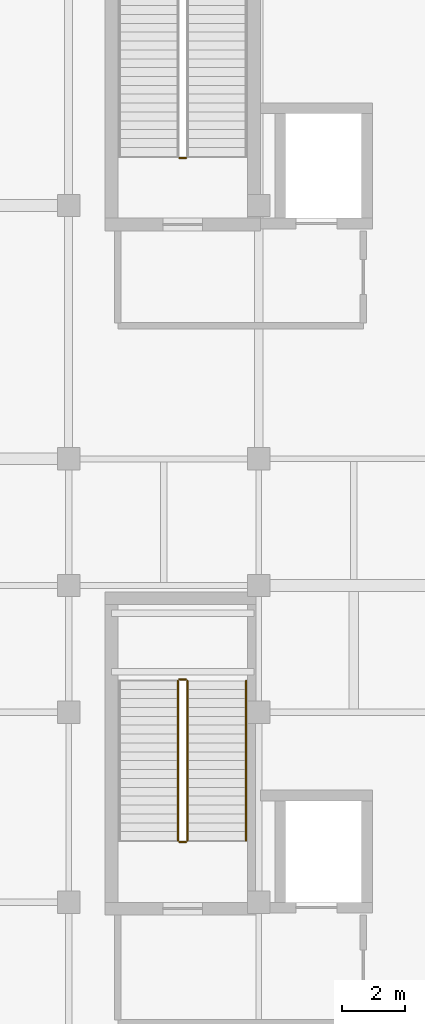
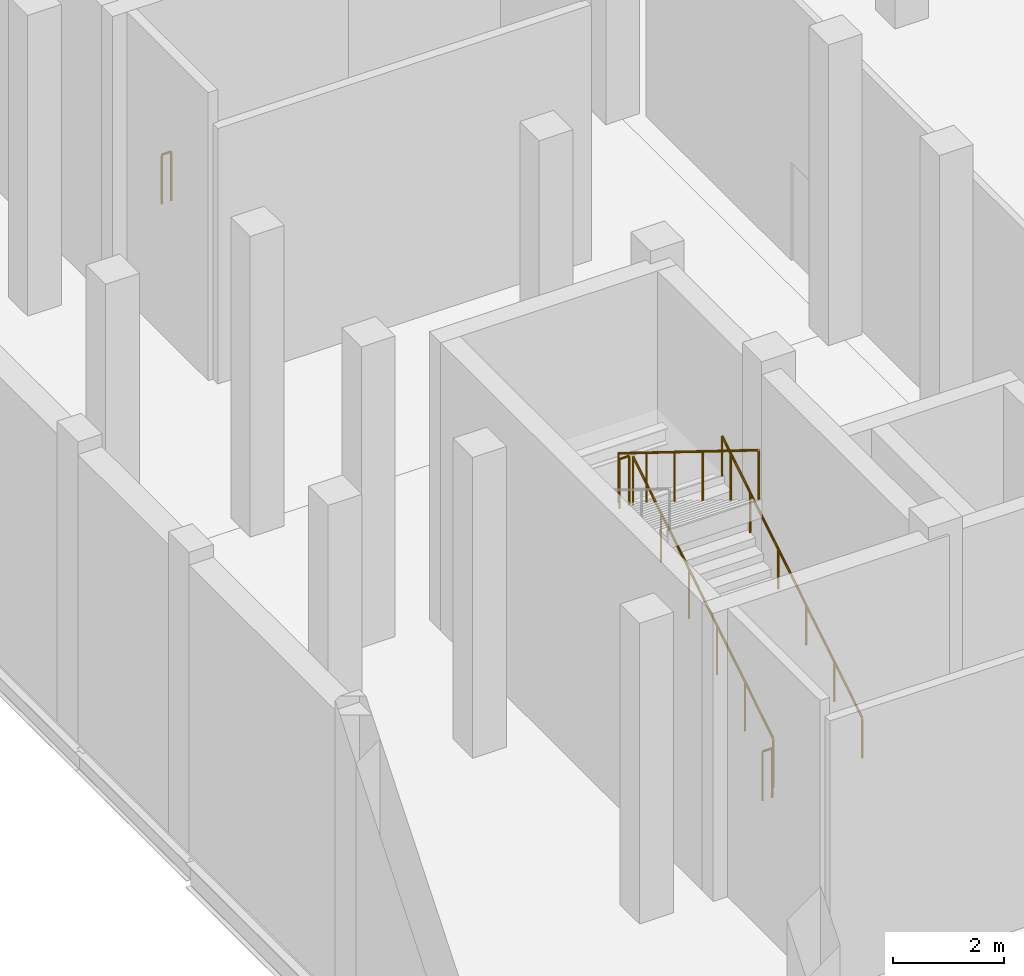
# One storey, part 132 of 140: 6 railings.
"""IFC4 building model written with IfcOpenShell, lengths in metres."""

from ifc_helpers import new_model, si_unit, direction, frame, origin, origin_2d, place, context, subcontext, project, spatial, circle, extrude, material, type_object, element, save


model = new_model("IFC4")

# Units and contexts
model_context = context("Model", 3, precision=1e-05, world=origin(), true_north=direction((0.0, 1.0)))
body_context = subcontext(model_context, "Body", "Model", "MODEL_VIEW")
ifc_project = project(units=[si_unit("LENGTHUNIT", "METRE"), si_unit("AREAUNIT", "SQUARE_METRE"), si_unit("VOLUMEUNIT", "CUBIC_METRE"), si_unit("PLANEANGLEUNIT", "RADIAN"), si_unit("MASSUNIT", "GRAM", prefix="KILO")], contexts=[model_context])

# Site, building, storey
site_placement = place(None, origin())
site = spatial("IfcSite", under=ifc_project, at=site_placement, CompositionType="ELEMENT")
building_placement = place(site_placement, origin())
building = spatial("IfcBuilding", under=site, at=building_placement, Name="Verrall Gate Interchange", CompositionType="ELEMENT")
storey_placement = place(building_placement, origin())
storey = spatial("IfcBuildingStorey", under=building, at=storey_placement, Name="L01", CompositionType="ELEMENT", Elevation=0.0)

# Railings
ifc_material_1 = material(Name="Brushed Stainless-Steel Guardrail and Handrail System", Category="steel")
railing_type_1 = type_object("IfcRailingType", Name="GR-02 Interior Atrium and Stair Guardrail 1100", PredefinedType="GUARDRAIL", material=ifc_material_1)
railing_1_placement = place(storey_placement, frame((9.75, 35.949951171875, 0.173583984375)))
element("IfcRailing", 1, at=railing_1_placement, inside=storey, type_object=railing_type_1, Name="L01 ST-02 stair guard 1", PredefinedType="GUARDRAIL", context=body_context, shape_type="SweptSolid", body=[
    extrude(circle(Radius=0.02392578125, at=origin_2d()), frame((0.0, 0.0, 1.076171875), z_axis=(0.0, 0.849778785312, 0.527139465448), x_axis=(-1.0, 0.0, 0.0)), (0.0, 0.0, 1.0), 5.930908203125),
    extrude(circle(Radius=0.02099609375, at=origin_2d()), origin(), (0.0, 0.0, 1.0), 1.052001953125),
    extrude(circle(Radius=0.02099609375, at=origin_2d()), frame((0.0, 1.008056640625, 0.625244140625)), (0.0, 0.0, 1.0), 1.052001953125),
    extrude(circle(Radius=0.02099609375, at=origin_2d()), frame((0.0, 2.01611328125, 1.25048828125)), (0.0, 0.0, 1.0), 1.052001953125),
    extrude(circle(Radius=0.02099609375, at=origin_2d()), frame((0.0, 3.02392578125, 1.8759765625)), (0.0, 0.0, 1.0), 1.052001953125),
    extrude(circle(Radius=0.02099609375, at=origin_2d()), frame((0.0, 4.031982421875, 2.501220703125)), (0.0, 0.0, 1.0), 1.052001953125),
    extrude(circle(Radius=0.02099609375, at=origin_2d()), frame((0.0, 5.0400390625, 3.12646484375)), (0.0, 0.0, 1.0), 1.052001953125),
])
railing_2_placement = place(storey_placement, frame((9.699951171875, 41.0400390625, 3.300048828125)))
element("IfcRailing", 2, at=railing_2_placement, inside=storey, type_object=railing_type_1, Name="L01 ST-02 stair guard 2", PredefinedType="GUARDRAIL", context=body_context, shape_type="SweptSolid", body=[
    extrude(circle(Radius=0.02392578125, at=origin_2d()), frame((0.0, 0.0, 1.076171875), z_axis=(-1.0, 0.0, 0.0), x_axis=(0.0, -1.0, 0.0)), (0.0, 0.0, 1.0), 0.199951171875),
    extrude(circle(Radius=0.02099609375, at=origin_2d()), origin(), (0.0, 0.0, 1.0), 1.052001953125),
    extrude(circle(Radius=0.02099609375, at=origin_2d()), frame((-0.199951171875, 0.0, 0.0)), (0.0, 0.0, 1.0), 1.052001953125),
])
railing_3_placement = place(storey_placement, frame((9.449951171875, 40.989990234375, 3.4736328125)))
element("IfcRailing", 3, at=railing_3_placement, inside=storey, type_object=railing_type_1, Name="L01 ST-02 stair guard 3", PredefinedType="GUARDRAIL", context=body_context, shape_type="SweptSolid", body=[
    extrude(circle(Radius=0.02392578125, at=origin_2d()), frame((0.0, 0.0, 1.076171875), z_axis=(0.0, -0.849778785312, 0.527139465448), x_axis=(1.0, 0.0, 0.0)), (0.0, 0.0, 1.0), 5.930908203125),
    extrude(circle(Radius=0.02099609375, at=origin_2d()), origin(), (0.0, 0.0, 1.0), 1.052001953125),
    extrude(circle(Radius=0.02099609375, at=origin_2d()), frame((0.0, -1.008056640625, 0.625244140625)), (0.0, 0.0, 1.0), 1.052001953125),
    extrude(circle(Radius=0.02099609375, at=origin_2d()), frame((0.0, -2.01611328125, 1.25048828125)), (0.0, 0.0, 1.0), 1.052001953125),
    extrude(circle(Radius=0.02099609375, at=origin_2d()), frame((0.0, -3.02392578125, 1.8759765625)), (0.0, 0.0, 1.0), 1.052001953125),
    extrude(circle(Radius=0.02099609375, at=origin_2d()), frame((0.0, -4.031982421875, 2.501220703125)), (0.0, 0.0, 1.0), 1.052001953125),
    extrude(circle(Radius=0.02099609375, at=origin_2d()), frame((0.0, -5.0400390625, 3.12646484375)), (0.0, 0.0, 1.0), 1.052001953125),
])
for number, where, name in (
    (4, (9.699951171875, 35.89990234375, 0.0), "L01 ST-02 stair guard 4"),
    (5, (9.699951171875, 57.5, 0.0), "L01 ST-03 stair guard 4"),
):
    element("IfcRailing", number, at=place(storey_placement, frame(where)), inside=storey, type_object=railing_type_1, Name=name, PredefinedType="GUARDRAIL", context=body_context, shape_type="SweptSolid", body=[
        extrude(circle(Radius=0.02392578125, at=origin_2d()), frame((0.0, 0.0, 1.076171875), z_axis=(-1.0, 0.0, 0.0), x_axis=(0.0, -1.0, 0.0)), (0.0, 0.0, 1.0), 0.199951171875),
        extrude(circle(Radius=0.02099609375, at=origin_2d()), origin(), (0.0, 0.0, 1.0), 1.052001953125),
        extrude(circle(Radius=0.02099609375, at=origin_2d()), frame((-0.199951171875, 0.0, 0.0)), (0.0, 0.0, 1.0), 1.052001953125),
    ])
ifc_material_2 = material(Name="Brushed Stainless-Steel Guardrail and Handrail System", Category="steel")
railing_type_2 = type_object("IfcRailingType", Name="HR-01 Stair and Ramp Pitch-Line Handrail 920", PredefinedType="HANDRAIL", material=ifc_material_2)
railing_4_placement = place(storey_placement, frame((11.60009765625, 35.949951171875, 0.173583984375)))
element("IfcRailing", 6, at=railing_4_placement, inside=storey, type_object=railing_type_2, Name="L01 ST-02 stair handrail 1", PredefinedType="HANDRAIL", context=body_context, shape_type="SweptSolid", body=[
    extrude(circle(Radius=0.02392578125, at=origin_2d()), frame((0.0, 0.0, 0.8759765625), z_axis=(0.0, 0.849778785312, 0.527139465448), x_axis=(-1.0, 0.0, 0.0)), (0.0, 0.0, 1.0), 5.930908203125),
    extrude(circle(Radius=0.02099609375, at=origin_2d()), origin(), (0.0, 0.0, 1.0), 0.851806640625),
    extrude(circle(Radius=0.02099609375, at=origin_2d()), frame((0.0, 1.008056640625, 0.625244140625)), (0.0, 0.0, 1.0), 0.851806640625),
    extrude(circle(Radius=0.02099609375, at=origin_2d()), frame((0.0, 2.01611328125, 1.25048828125)), (0.0, 0.0, 1.0), 0.851806640625),
    extrude(circle(Radius=0.02099609375, at=origin_2d()), frame((0.0, 3.02392578125, 1.8759765625)), (0.0, 0.0, 1.0), 0.851806640625),
    extrude(circle(Radius=0.02099609375, at=origin_2d()), frame((0.0, 4.031982421875, 2.501220703125)), (0.0, 0.0, 1.0), 0.851806640625),
    extrude(circle(Radius=0.02099609375, at=origin_2d()), frame((0.0, 5.0400390625, 3.12646484375)), (0.0, 0.0, 1.0), 0.851806640625),
])

save(model, "model.ifc")
